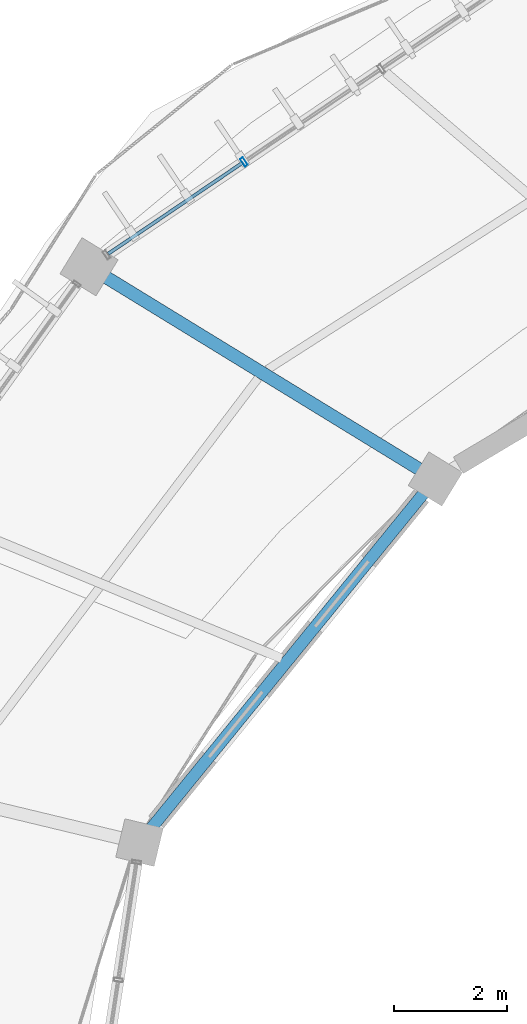
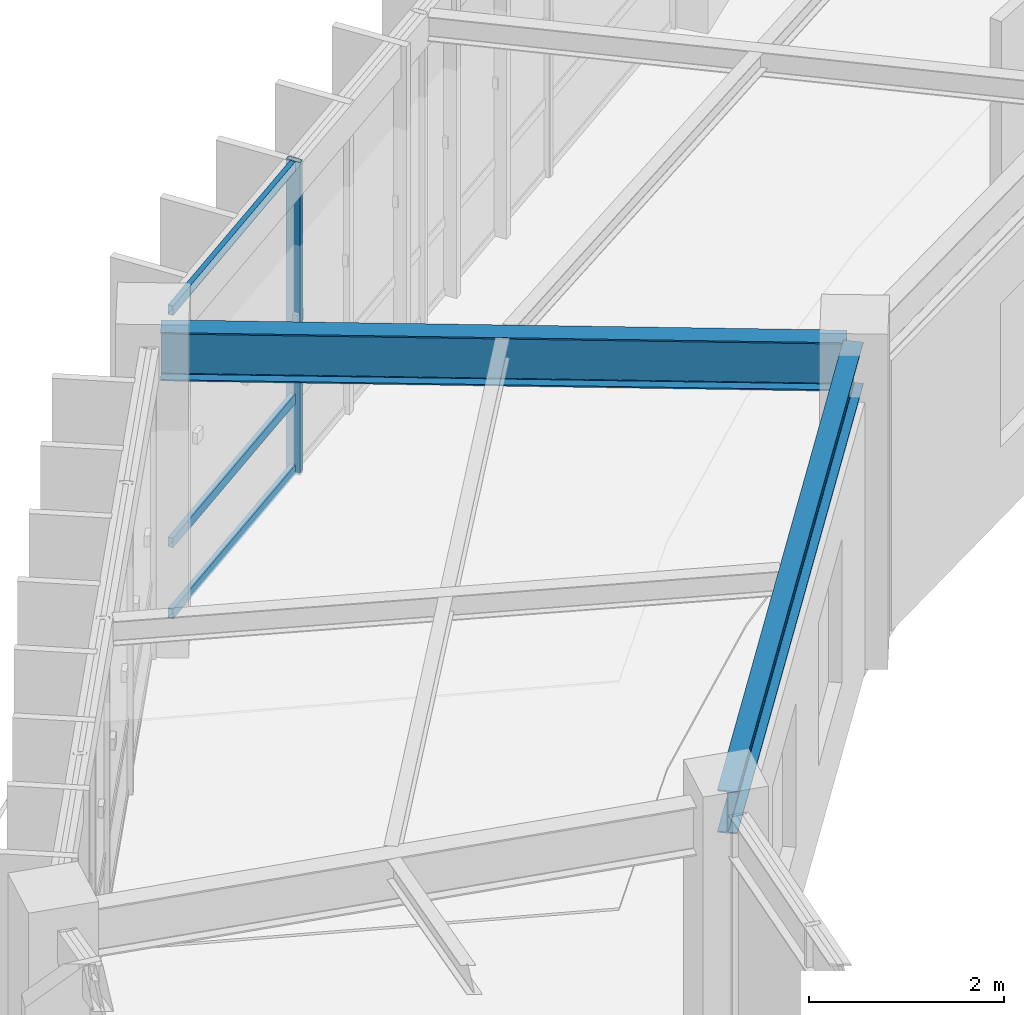
# One storey, part 56 of 152: 4 members, 2 beams, 1 element without a shape of its own.
"""IFC4 building model written with IfcOpenShell, lengths in metres."""

from ifc_helpers import new_model, si_unit, direction, frame, origin, origin_2d, place, context, subcontext, project, spatial, hollow_rectangle, i_section, extrude, material, material_profile, profile_set, type_object, element, aggregate, save


model = new_model("IFC4")

# Units and contexts
model_context = context("Model", 3, precision=1e-05, world=origin(), true_north=direction((0.0, 1.0)))
body_context = subcontext(model_context, "Body", "Model", "MODEL_VIEW")
ifc_project = project(units=[si_unit("LENGTHUNIT", "METRE"), si_unit("AREAUNIT", "SQUARE_METRE"), si_unit("VOLUMEUNIT", "CUBIC_METRE"), si_unit("PLANEANGLEUNIT", "RADIAN"), si_unit("MASSUNIT", "GRAM", prefix="KILO"), si_unit("THERMODYNAMICTEMPERATUREUNIT", "KELVIN"), si_unit("POWERUNIT", "WATT")], contexts=[model_context])

# Site, building, storey
site_placement = place(None, origin())
site = spatial("IfcSite", under=ifc_project, at=site_placement, CompositionType="ELEMENT")
building_placement = place(site_placement, origin())
building = spatial("IfcBuilding", under=site, at=building_placement, Name="Darbajah Civic Hall", CompositionType="ELEMENT")
storey_placement = place(building_placement, frame((0.0, 0.0, 5.39990234375)))
storey = spatial("IfcBuildingStorey", under=building, at=storey_placement, Name="L01", CompositionType="ELEMENT", Elevation=5.39990234375)

# Curtain wall, members
ifc_material_1 = material(Name="Anodised Bronze Aluminium and Low-E Glazing", Category="aluminium")
curtain_wall_type = type_object("IfcCurtainWallType", Name="Unitised Curtain Wall CW-26 11800x3900", PredefinedType="USERDEFINED", material=ifc_material_1)
curtain_wall_placement = place(storey_placement, origin())
curtain_wall = element("IfcCurtainWall", 1, at=curtain_wall_placement, inside=storey, type_object=curtain_wall_type, Name="L01 unitised curtain wall CW-V1O-L01-07", ObjectType="UNITISED CURTAIN WALL", PredefinedType="USERDEFINED")
ifc_material_2 = material(Name="Anodised Bronze Aluminium", Category="aluminium")
ifc_material_profile_1 = material_profile(ifc_material_2, hollow_rectangle(XDim=0.06005859375, YDim=0.159912109375, WallThickness=0.00341796875, at=origin_2d()), Name="ALU MULLION 60x160")
ifc_profile_set_1 = profile_set([ifc_material_profile_1], Name="Anodised Bronze Aluminium")
member_type_1 = type_object("IfcMemberType", Name="ALU MULLION 60x160", PredefinedType="MULLION", material=ifc_profile_set_1)
member_1_placement = place(storey_placement, frame((48.362060546875, 107.073974609375, 0.0), z_axis=(0.0, 0.0, 1.0), x_axis=(-0.827962472047, -0.560783509816, 0.0)))
member_1 = element("IfcMember", 2, at=member_1_placement, type_object=member_type_1, Name="CW-V1O-L01-07 mullion 4", PredefinedType="MULLION", context=body_context, shape_type="SweptSolid", body=[
    extrude(hollow_rectangle(XDim=0.06005859375, YDim=0.159912109375, WallThickness=0.00341796875, at=origin_2d()), origin(), (0.0, 0.0, 1.0), 3.920166015625),
])
ifc_material_profile_2 = material_profile(ifc_material_2, hollow_rectangle(XDim=0.06005859375, YDim=0.1201171875, WallThickness=0.003173828125, at=origin_2d()), Name="ALU TRANSOM 60x120")
ifc_profile_set_2 = profile_set([ifc_material_profile_2], Name="Anodised Bronze Aluminium")
member_type_2 = type_object("IfcMemberType", Name="ALU TRANSOM 60x120", PredefinedType="USERDEFINED", material=ifc_profile_set_2)
member_2_placement = place(storey_placement, frame((48.3330078125, 107.05419921875, 0.06005859375), z_axis=(-0.827958184156, -0.560789840573, 0.0), x_axis=(0.560789840573, -0.827958184156, 0.0)))
member_2 = element("IfcMember", 3, at=member_2_placement, type_object=member_type_2, Name="CW-V1O-L01-07 transom 4.1", ObjectType="TRANSOM", PredefinedType="USERDEFINED", context=body_context, shape_type="SweptSolid", body=[
    extrude(hollow_rectangle(XDim=0.06005859375, YDim=0.1201171875, WallThickness=0.003173828125, at=origin_2d()), origin(), (0.0, 0.0, 1.0), 2.870361328125),
])
member_3_placement = place(storey_placement, frame((48.3330078125, 107.05419921875, 0.9501953125), z_axis=(-0.827958184156, -0.560789840573, 0.0), x_axis=(0.560789840573, -0.827958184156, 0.0)))
member_3 = element("IfcMember", 4, at=member_3_placement, type_object=member_type_2, Name="CW-V1O-L01-07 transom 4.2", ObjectType="TRANSOM", PredefinedType="USERDEFINED", context=body_context, shape_type="SweptSolid", body=[
    extrude(hollow_rectangle(XDim=0.06005859375, YDim=0.1201171875, WallThickness=0.003173828125, at=origin_2d()), origin(), (0.0, 0.0, 1.0), 2.870361328125),
])
member_4_placement = place(storey_placement, frame((48.3330078125, 107.05419921875, 3.860107421875), z_axis=(-0.827958184156, -0.560789840573, 0.0), x_axis=(0.560789840573, -0.827958184156, 0.0)))
member_4 = element("IfcMember", 5, at=member_4_placement, type_object=member_type_2, Name="CW-V1O-L01-07 transom 4.3", ObjectType="TRANSOM", PredefinedType="USERDEFINED", context=body_context, shape_type="SweptSolid", body=[
    extrude(hollow_rectangle(XDim=0.06005859375, YDim=0.1201171875, WallThickness=0.003173828125, at=origin_2d()), origin(), (0.0, 0.0, 1.0), 2.870361328125),
])
aggregate(curtain_wall, [member_1, member_2, member_3, member_4])

# Beams
ifc_material_3 = material(Name="Steel S355JR", Category="steel")
ifc_material_profile_3 = material_profile(ifc_material_3, i_section(OverallWidth=0.209228515625, OverallDepth=0.533203125, WebThickness=0.010009765625, FlangeThickness=0.015625, FilletRadius=0.0126953125, at=origin_2d()), Name="UB 533x210x92")
ifc_profile_set_3 = profile_set([ifc_material_profile_3], Name="Steel S355JR")
beam_type_1 = type_object("IfcBeamType", Name="UB 533x210x92", PredefinedType="BEAM", material=ifc_profile_set_3)
beam_1_placement = place(storey_placement, frame((51.703857421875, 101.3896484375, 3.653564453125), z_axis=(-0.63108196788, -0.775716152866, 0.0), x_axis=(0.775716152866, -0.63108196788, 0.0)))
element("IfcBeam", 6, at=beam_1_placement, inside=storey, type_object=beam_type_1, Name="L01 beam SB-533", PredefinedType="BEAM", context=body_context, shape_type="SweptSolid", body=[
    extrude(i_section(OverallWidth=0.209228515625, OverallDepth=0.533203125, WebThickness=0.010009765625, FlangeThickness=0.015625, FilletRadius=0.0126953125, at=origin_2d()), origin(), (0.0, 0.0, 1.0), 8.149658203125),
])
ifc_material_profile_4 = material_profile(ifc_material_3, i_section(OverallWidth=0.228271484375, OverallDepth=0.607666015625, WebThickness=0.010986328125, FlangeThickness=0.017333984375, FilletRadius=0.0126953125, at=origin_2d()), Name="UB 610x229x113")
ifc_profile_set_4 = profile_set([ifc_material_profile_4], Name="Steel S355JR")
beam_type_2 = type_object("IfcBeamType", Name="UB 610x229x113", PredefinedType="BEAM", material=ifc_profile_set_4)
beam_2_placement = place(storey_placement, frame((51.686279296875, 101.493408203125, 3.6162109375), z_axis=(-0.852639128905, 0.522500254411, 0.0), x_axis=(-0.522500254411, -0.852639128905, 0.0)))
element("IfcBeam", 7, at=beam_2_placement, inside=storey, type_object=beam_type_2, Name="L01 beam SB-610", PredefinedType="BEAM", context=body_context, shape_type="SweptSolid", body=[
    extrude(i_section(OverallWidth=0.228271484375, OverallDepth=0.607666015625, WebThickness=0.010986328125, FlangeThickness=0.017333984375, FilletRadius=0.0126953125, at=origin_2d()), origin(), (0.0, 0.0, 1.0), 7.0400390625),
])

save(model, "model.ifc")
